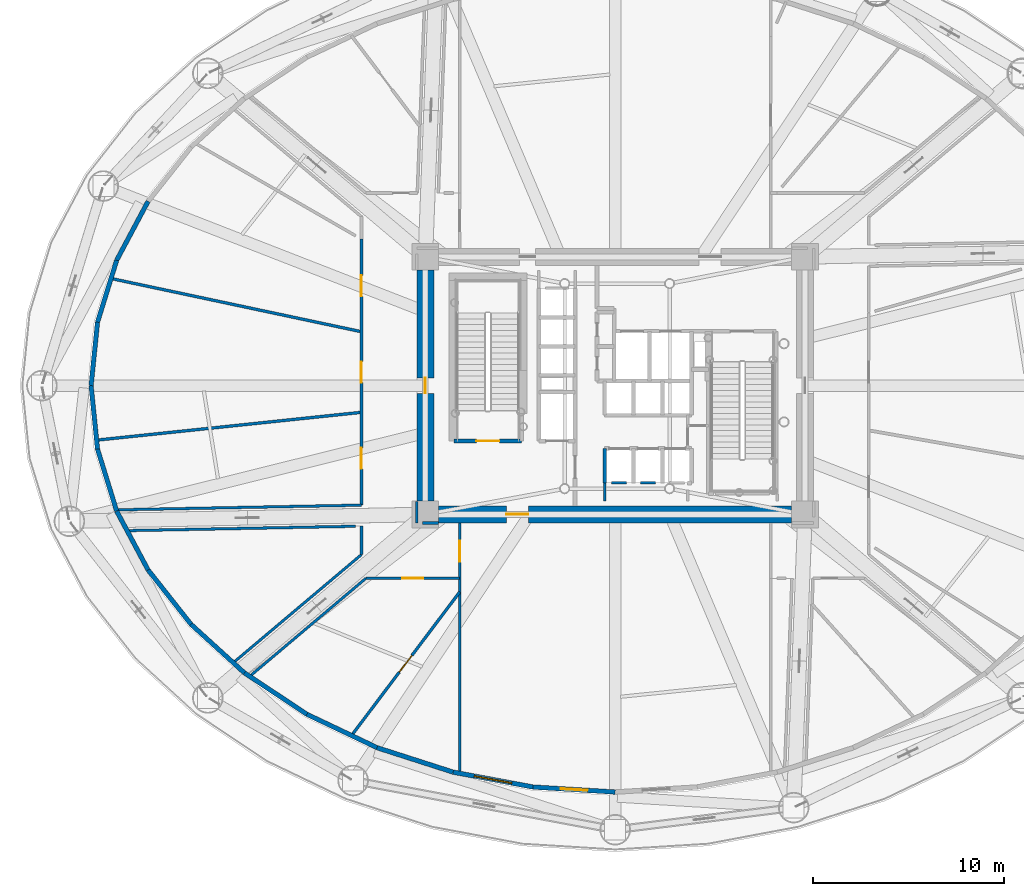
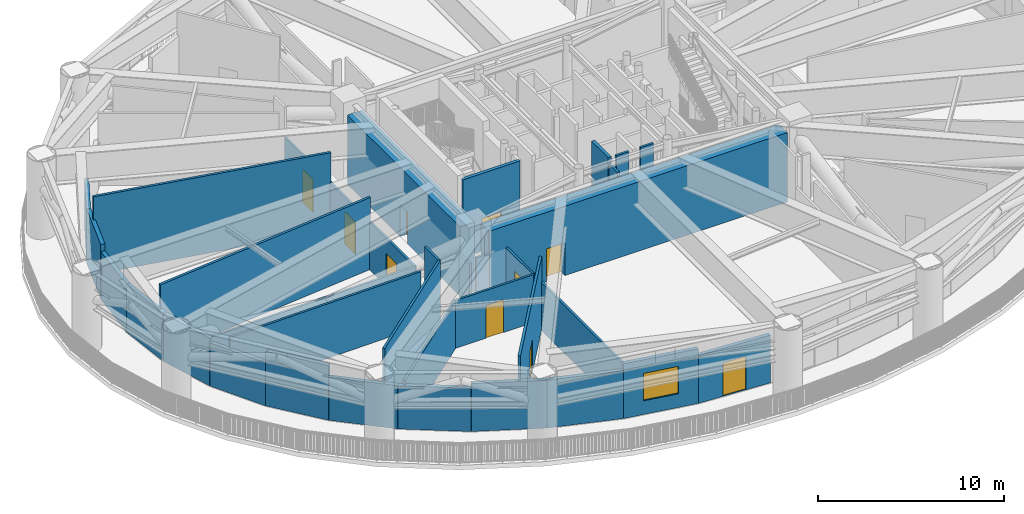
# One storey, part 11 of 22: 33 walls, 10 doors, 1 window, 11 openings.
"""IFC4 building model written with IfcOpenShell, lengths in metres."""

from ifc_helpers import new_model, si_unit, direction, frame, frame_2d, origin, origin_2d, place, context, subcontext, project, spatial, rectangle, extrude, source, transform, mapped, material, layer, layer_set, type_object, element, fill, save


model = new_model("IFC4")

# Units and contexts
model_context = context("Model", 3, precision=1e-05, world=origin(), true_north=direction((0.0, 1.0)))
body_context = subcontext(model_context, "Body", "Model", "MODEL_VIEW")
ifc_project = project(units=[si_unit("LENGTHUNIT", "METRE"), si_unit("AREAUNIT", "SQUARE_METRE"), si_unit("VOLUMEUNIT", "CUBIC_METRE"), si_unit("PLANEANGLEUNIT", "RADIAN"), si_unit("MASSUNIT", "GRAM", prefix="KILO")], contexts=[model_context])

# Site, building, storey
site_placement = place(None, origin())
site = spatial("IfcSite", under=ifc_project, at=site_placement, CompositionType="ELEMENT")
building_placement = place(site_placement, origin())
building = spatial("IfcBuilding", under=site, at=building_placement, Name="Linh Dai School and Residence Tower", CompositionType="ELEMENT")
storey_placement = place(building_placement, frame((0.0, 0.0, 87.0)))
storey = spatial("IfcBuildingStorey", under=building, at=storey_placement, Name="L20", CompositionType="ELEMENT", Elevation=87.0)

# Walls
ifc_material_1 = material(Name="Precast Concrete B45 (C35/45)", Category="concrete")
ifc_layer_1 = layer(ifc_material_1, 0.239990234375)
ifc_layer_set_1 = layer_set([ifc_layer_1], Name="Precast Concrete B45 (C35/45)")
wall_type_1 = type_object("IfcWallType", Name="EW-TC-240", PredefinedType="SOLIDWALL", material=ifc_layer_set_1)
wall_1_placement = place(storey_placement, frame((9.8662109375, 33.573974609375, 0.0), z_axis=(0.0, 0.0, 1.0), x_axis=(0.470675170758, 0.882306570095, 0.0)))
element("IfcWall", 1, at=wall_1_placement, inside=storey, type_object=wall_type_1, Name="L20 Terracotta Exterior Wall 18", PredefinedType="SOLIDWALL", context=body_context, shape_type="SweptSolid", body=[
    extrude(rectangle(XDim=3.498046875, YDim=0.239990234375, at=frame_2d((1.7490234375, 0.0))), origin(), (0.0, 0.0, 1.0), 3.135009765625),
])
wall_2_placement = place(storey_placement, frame((8.8623046875, 30.327392578125, 0.0), z_axis=(0.0, 0.0, 1.0), x_axis=(0.29541834734, 0.955367991957, 0.0)))
element("IfcWall", 2, at=wall_2_placement, inside=storey, type_object=wall_type_1, Name="L20 Terracotta Exterior Wall 19", PredefinedType="SOLIDWALL", context=body_context, shape_type="SweptSolid", body=[
    extrude(rectangle(XDim=3.398193359375, YDim=0.239990234375, at=frame_2d((1.69921875, 0.0))), origin(), (0.0, 0.0, 1.0), 3.5849609375),
])
for number, where, z_axis, x_axis, name in (
    (3, (8.52490234375, 27.0, 0.0), (0.0, 0.0, 1.0), (0.100884092205, 0.994898185716, 0.0), "L20 Terracotta Exterior Wall 20"),
    (4, (8.8623046875, 23.672607421875, 0.0), (0.0, 0.0, 1.0), (-0.100884092205, 0.994898185716, 0.0), "L20 Terracotta Exterior Wall 21"),
):
    element("IfcWall", number, at=place(storey_placement, frame(where, z_axis=z_axis, x_axis=x_axis)), inside=storey, type_object=wall_type_1, Name=name, PredefinedType="SOLIDWALL", context=body_context, shape_type="SweptSolid", body=[
        extrude(rectangle(XDim=3.344482421875, YDim=0.239990234375, at=frame_2d((1.67236328125, 0.0))), origin(), (0.0, 0.0, 1.0), 3.135009765625),
    ])
wall_3_placement = place(storey_placement, frame((9.8662109375, 20.426025390625, 0.0), z_axis=(0.0, 0.0, 1.0), x_axis=(-0.29541834734, 0.955367991957, 0.0)))
element("IfcWall", 5, at=wall_3_placement, inside=storey, type_object=wall_type_1, Name="L20 Terracotta Exterior Wall 22", PredefinedType="SOLIDWALL", context=body_context, shape_type="SweptSolid", body=[
    extrude(rectangle(XDim=3.398193359375, YDim=0.239990234375, at=frame_2d((1.69921875, 0.0))), origin(), (0.0, 0.0, 1.0), 3.135009765625),
])
wall_4_placement = place(storey_placement, frame((11.5126953125, 17.339599609375, 0.0), z_axis=(0.0, 0.0, 1.0), x_axis=(-0.470675170758, 0.882306570095, 0.0)))
element("IfcWall", 6, at=wall_4_placement, inside=storey, type_object=wall_type_1, Name="L20 Terracotta Exterior Wall 23", PredefinedType="SOLIDWALL", context=body_context, shape_type="SweptSolid", body=[
    extrude(rectangle(XDim=3.498046875, YDim=0.239990234375, at=frame_2d((1.7490234375, 0.0))), origin(), (0.0, 0.0, 1.0), 2.83203125),
])
wall_5_placement = place(storey_placement, frame((13.762451171875, 14.4892578125, 0.0), z_axis=(0.0, 0.0, 1.0), x_axis=(-0.61955708767, 0.784951600494, 0.0)))
element("IfcWall", 7, at=wall_5_placement, inside=storey, type_object=wall_type_1, Name="L20 Terracotta Exterior Wall 24", PredefinedType="SOLIDWALL", context=body_context, shape_type="SweptSolid", body=[
    extrude(rectangle(XDim=3.63134765625, YDim=0.239990234375, at=frame_2d((1.815673828125, 0.0))), origin(), (0.0, 0.0, 1.0), 3.5849609375),
])
wall_6_placement = place(storey_placement, frame((16.560546875, 11.9453125, 0.0), z_axis=(0.0, 0.0, 1.0), x_axis=(-0.739910860475, 0.672704926808, 0.0)))
element("IfcWall", 8, at=wall_6_placement, inside=storey, type_object=wall_type_1, Name="L20 Terracotta Exterior Wall 25", PredefinedType="SOLIDWALL", context=body_context, shape_type="SweptSolid", body=[
    extrude(rectangle(XDim=3.78173828125, YDim=0.239990234375, at=frame_2d((1.890869140625, 0.0))), origin(), (0.0, 0.0, 1.0), 2.83203125),
])
wall_7_placement = place(storey_placement, frame((19.838623046875, 9.771728515625, 0.0), z_axis=(0.0, 0.0, 1.0), x_axis=(-0.833432371142, 0.552621464235, 0.0)))
element("IfcWall", 9, at=wall_7_placement, inside=storey, type_object=wall_type_1, Name="L20 Terracotta Exterior Wall 26", PredefinedType="SOLIDWALL", context=body_context, shape_type="SweptSolid", body=[
    extrude(rectangle(XDim=3.93310546875, YDim=0.239990234375, at=frame_2d((1.966552734375, 0.0))), origin(), (0.0, 0.0, 1.0), 2.83203125),
])
wall_8_placement = place(storey_placement, frame((23.515869140625, 8.02197265625, 0.0), z_axis=(0.0, 0.0, 1.0), x_axis=(-0.902985702175, 0.429670596699, 0.0)))
element("IfcWall", 10, at=wall_8_placement, inside=storey, type_object=wall_type_1, Name="L20 Terracotta Exterior Wall 27", PredefinedType="SOLIDWALL", context=body_context, shape_type="SweptSolid", body=[
    extrude(rectangle(XDim=4.072265625, YDim=0.239990234375, at=frame_2d((2.0361328125, 0.0))), origin(), (0.0, 0.0, 1.0), 3.135009765625),
])
wall_9_placement = place(storey_placement, frame((27.501708984375, 6.739990234375, 0.0), z_axis=(0.0, 0.0, 1.0), x_axis=(-0.951971515403, 0.306186599742, 0.0)))
element("IfcWall", 11, at=wall_9_placement, inside=storey, type_object=wall_type_1, Name="L20 Terracotta Exterior Wall 28", PredefinedType="SOLIDWALL", context=body_context, shape_type="SweptSolid", body=[
    extrude(rectangle(XDim=4.18701171875, YDim=0.239990234375, at=frame_2d((2.093505859375, 0.0))), origin(), (0.0, 0.0, 1.0), 3.135009765625),
])

# Wall, opening, window
wall_10_placement = place(storey_placement, frame((31.69775390625, 5.9580078125, 0.0), z_axis=(0.0, 0.0, 1.0), x_axis=(-0.983074270231, 0.183207475857, 0.0)))
wall_10 = element("IfcWall", 12, at=wall_10_placement, inside=storey, type_object=wall_type_1, Name="L20 Terracotta Exterior Wall 29", PredefinedType="SOLIDWALL", context=body_context, shape_type="SweptSolid", body=[
    extrude(rectangle(XDim=4.268310546875, YDim=0.239990234375, at=frame_2d((2.13427734375, 0.0))), origin(), (0.0, 0.0, 1.0), 3.5849609375),
])
opening_1_placement = place(wall_10_placement, frame((1.134033203125, 0.0, 0.89990234375)))
opening_1 = element("IfcOpeningElement", 13, at=opening_1_placement, cuts=wall_10, Name="Opening W5", PredefinedType="OPENING", context=body_context, shape_type="SweptSolid", body=[
    extrude(rectangle(XDim=2.0, YDim=1.800048828125, at=origin_2d()), frame((1.0, 0.1298828125, 0.89990234375), z_axis=(0.0, -1.0, 0.0), x_axis=(1.0, 0.0, 0.0)), (0.0, 0.0, 1.0), 0.260009765625),
])
ifc_material_2 = material(Name="Anodised Aluminium Weather Louvre", Category="aluminium")
window_type = type_object("IfcWindowType", Name="WN-LV-2000x1800", PartitioningType="SINGLE_PANEL", PredefinedType="USERDEFINED", material=ifc_material_2)
shared_shape_1 = source(origin(), body_context, "Body", "SweptSolid", [
    extrude(rectangle(XDim=2.0, YDim=1.800048828125, at=origin_2d()), frame((1.0, 0.030029296875, 0.89990234375), z_axis=(0.0, -1.0, 0.0), x_axis=(1.0, 0.0, 0.0)), (0.0, 0.0, 1.0), 0.06005859375),
])
window_placement = place(opening_1_placement, origin())
window = element("IfcWindow", 14, at=window_placement, inside=storey, type_object=window_type, Name="L20 Plant Weather Louvre 29", ObjectType="LOUVRE VENT", OverallHeight=1.800048828125, OverallWidth=2.0, PartitioningType="SINGLE_PANEL", PredefinedType="USERDEFINED", context=body_context, shape_type="MappedRepresentation", body=[
    mapped(shared_shape_1, transform((0.0, 0.0, 0.0), x_axis=(1.0, 0.0, 0.0), y_axis=(0.0, 1.0, 0.0), z_axis=(0.0, 0.0, 1.0), scale=1.0)),
])
fill(opening_1, window)

# Wall, opening, door
wall_11_placement = place(storey_placement, frame((36.0, 5.695068359375, 0.0), z_axis=(0.0, 0.0, 1.0), x_axis=(-0.998137585079, 0.061002961022, 0.0)))
wall_11 = element("IfcWall", 15, at=wall_11_placement, inside=storey, type_object=wall_type_1, Name="L20 Terracotta Exterior Wall 30", PredefinedType="SOLIDWALL", context=body_context, shape_type="SweptSolid", body=[
    extrude(rectangle(XDim=4.310302734375, YDim=0.239990234375, at=frame_2d((2.1552734375, 0.0))), origin(), (0.0, 0.0, 1.0), 3.135009765625),
])
opening_2_placement = place(wall_11_placement, frame((1.455078125, 0.0, 0.0)))
opening_2 = element("IfcOpeningElement", 16, at=opening_2_placement, cuts=wall_11, Name="Opening DD1", PredefinedType="OPENING", context=body_context, shape_type="SweptSolid", body=[
    extrude(rectangle(XDim=1.39990234375, YDim=2.199951171875, at=origin_2d()), frame((0.699951171875, 0.1298828125, 1.10009765625), z_axis=(0.0, -1.0, 0.0), x_axis=(1.0, 0.0, 0.0)), (0.0, 0.0, 1.0), 0.260009765625),
])
ifc_material_3 = material(Name="Glazed Aluminium Terrace Door", Category="aluminium")
door_type_1 = type_object("IfcDoorType", Name="DR-DECK-1400x2200", OperationType="NOTDEFINED", PredefinedType="DOOR", material=ifc_material_3)
shared_shape_2 = source(origin(), body_context, "Body", "SweptSolid", [
    extrude(rectangle(XDim=1.39990234375, YDim=2.199951171875, at=origin_2d()), frame((0.699951171875, 0.02490234375, 1.10009765625), z_axis=(0.0, -1.0, 0.0), x_axis=(1.0, 0.0, 0.0)), (0.0, 0.0, 1.0), 0.050048828125),
])
door_1_placement = place(opening_2_placement, origin())
door_1 = element("IfcDoor", 17, at=door_1_placement, inside=storey, type_object=door_type_1, Name="L20 Outdoor Terrace Access Door 30", OperationType="SINGLE_SWING_RIGHT", OverallHeight=2.199951171875, OverallWidth=1.39990234375, PredefinedType="DOOR", context=body_context, shape_type="MappedRepresentation", body=[
    mapped(shared_shape_2, transform((0.0, 0.0, 0.0), x_axis=(1.0, 0.0, 0.0), y_axis=(0.0, 1.0, 0.0), z_axis=(0.0, 0.0, 1.0), scale=1.0)),
])
fill(opening_2, door_1)

# Walls
ifc_material_4 = material(Name="Autoclaved Aerated Concrete Blockwork", Category="masonry")
ifc_layer_2 = layer(ifc_material_4, 0.135009765625)
ifc_layer_set_2 = layer_set([ifc_layer_2], Name="Autoclaved Aerated Concrete Blockwork")
wall_type_2 = type_object("IfcWallType", Name="IW-CORR-135-EI90", PredefinedType="PARTITIONING", material=ifc_layer_set_2)
wall_12_placement = place(storey_placement, frame((9.841552734375, 20.48876953125, 0.0), z_axis=(0.0, 0.0, 1.0), x_axis=(0.999815448687, 0.019211157326, 0.0)))
element("IfcWall", 18, at=wall_12_placement, inside=storey, type_object=wall_type_2, Name="L20 Interior Partition Wall 003", PredefinedType="PARTITIONING", context=body_context, shape_type="SweptSolid", body=[
    extrude(rectangle(XDim=12.86083984375, YDim=0.135009765625, at=frame_2d((6.430419921875, 0.0))), origin(), (0.0, 0.0, 1.0), 3.135009765625),
])
wall_13_placement = place(storey_placement, frame((16.83544921875, 11.757080078125, 0.0), z_axis=(0.0, 0.0, 1.0), x_axis=(0.764356069215, 0.644794385408, 0.0)))
element("IfcWall", 19, at=wall_13_placement, inside=storey, type_object=wall_type_2, Name="L20 Interior Partition Wall 004", PredefinedType="PARTITIONING", context=body_context, shape_type="SweptSolid", body=[
    extrude(rectangle(XDim=7.975830078125, YDim=0.135009765625, at=frame_2d((3.98779296875, 0.0))), origin(), (0.0, 0.0, 1.0), 3.135009765625),
])

# Wall, openings, doors
wall_14_placement = place(storey_placement, frame((22.699951171875, 20.73583984375, 0.0), z_axis=(0.0, 0.0, 1.0), x_axis=(0.0, 1.0, 0.0)))
wall_14 = element("IfcWall", 20, at=wall_14_placement, inside=storey, type_object=wall_type_2, Name="L20 Interior Partition Wall 008", PredefinedType="PARTITIONING", context=body_context, shape_type="SweptSolid", body=[
    extrude(rectangle(XDim=13.94287109375, YDim=0.135009765625, at=frame_2d((6.971435546875, 0.0))), origin(), (0.0, 0.0, 1.0), 3.135009765625),
])
opening_3_placement = place(wall_14_placement, frame((10.947021484375, 0.0, 0.0)))
opening_3 = element("IfcOpeningElement", 21, at=opening_3_placement, cuts=wall_14, Name="Opening D07", PredefinedType="OPENING", context=body_context, shape_type="SweptSolid", body=[
    extrude(rectangle(XDim=1.10009765625, YDim=2.14990234375, at=origin_2d()), frame((0.550048828125, 0.07763671875, 1.074951171875), z_axis=(0.0, -1.0, 0.0), x_axis=(1.0, 0.0, 0.0)), (0.0, 0.0, 1.0), 0.155029296875),
])
opening_4_placement = place(wall_14_placement, frame((6.4287109375, 0.0, 0.0)))
opening_4 = element("IfcOpeningElement", 22, at=opening_4_placement, cuts=wall_14, Name="Opening D07", PredefinedType="OPENING", context=body_context, shape_type="SweptSolid", body=[
    extrude(rectangle(XDim=1.10009765625, YDim=2.14990234375, at=origin_2d()), frame((0.550048828125, 0.07763671875, 1.074951171875), z_axis=(0.0, -1.0, 0.0), x_axis=(1.0, 0.0, 0.0)), (0.0, 0.0, 1.0), 0.155029296875),
])
opening_5_placement = place(wall_14_placement, frame((1.9033203125, 0.0, 0.0)))
opening_5 = element("IfcOpeningElement", 23, at=opening_5_placement, cuts=wall_14, Name="Opening D07", PredefinedType="OPENING", context=body_context, shape_type="SweptSolid", body=[
    extrude(rectangle(XDim=1.10009765625, YDim=2.14990234375, at=origin_2d()), frame((0.550048828125, 0.07763671875, 1.074951171875), z_axis=(0.0, -1.0, 0.0), x_axis=(1.0, 0.0, 0.0)), (0.0, 0.0, 1.0), 0.155029296875),
])
ifc_material_5 = material(Name="Fire-Rated Louvred Steel Plant Door", Category="steel")
door_type_2 = type_object("IfcDoorType", Name="DR-PLT-1100x2150-FD60S", OperationType="NOTDEFINED", PredefinedType="DOOR", material=ifc_material_5)
shared_shape_3 = source(origin(), body_context, "Body", "SweptSolid", [
    extrude(rectangle(XDim=1.10009765625, YDim=2.14990234375, at=origin_2d()), frame((0.550048828125, 0.02490234375, 1.074951171875), z_axis=(0.0, -1.0, 0.0), x_axis=(1.0, 0.0, 0.0)), (0.0, 0.0, 1.0), 0.050048828125),
])
door_2_placement = place(opening_3_placement, origin())
door_2 = element("IfcDoor", 24, at=door_2_placement, inside=storey, type_object=door_type_2, Name="L20 Heat-Recovery Ventilation Plant Room West 1 Door", OperationType="SINGLE_SWING_LEFT", OverallHeight=2.14990234375, OverallWidth=1.10009765625, PredefinedType="DOOR", context=body_context, shape_type="MappedRepresentation", body=[
    mapped(shared_shape_3, transform((0.0, 0.0, 0.0), x_axis=(1.0, 0.0, 0.0), y_axis=(0.0, 1.0, 0.0), z_axis=(0.0, 0.0, 1.0), scale=1.0)),
])
fill(opening_3, door_2)
door_3_placement = place(opening_4_placement, origin())
door_3 = element("IfcDoor", 25, at=door_3_placement, inside=storey, type_object=door_type_2, Name="L20 Chilled-Water Heat-Exchanger Plant Room West Door", OperationType="SINGLE_SWING_RIGHT", OverallHeight=2.14990234375, OverallWidth=1.10009765625, PredefinedType="DOOR", context=body_context, shape_type="MappedRepresentation", body=[
    mapped(shared_shape_3, transform((0.0, 0.0, 0.0), x_axis=(1.0, 0.0, 0.0), y_axis=(0.0, 1.0, 0.0), z_axis=(0.0, 0.0, 1.0), scale=1.0)),
])
fill(opening_4, door_3)
door_4_placement = place(opening_5_placement, origin())
door_4 = element("IfcDoor", 26, at=door_4_placement, inside=storey, type_object=door_type_2, Name="L20 Heat-Recovery Ventilation Plant Room West 2 Door", OperationType="SINGLE_SWING_LEFT", OverallHeight=2.14990234375, OverallWidth=1.10009765625, PredefinedType="DOOR", context=body_context, shape_type="MappedRepresentation", body=[
    mapped(shared_shape_3, transform((0.0, 0.0, 0.0), x_axis=(1.0, 0.0, 0.0), y_axis=(0.0, 1.0, 0.0), z_axis=(0.0, 0.0, 1.0), scale=1.0)),
])
fill(opening_5, door_4)

# Wall, opening, door
wall_15_placement = place(storey_placement, frame((22.931884765625, 16.89990234375, 0.0), z_axis=(0.0, 0.0, 1.0), x_axis=(1.0, 0.0, 0.0)))
wall_15 = element("IfcWall", 27, at=wall_15_placement, inside=storey, type_object=wall_type_2, Name="L20 Interior Partition Wall 009", PredefinedType="PARTITIONING", context=body_context, shape_type="SweptSolid", body=[
    extrude(rectangle(XDim=4.918212890625, YDim=0.135009765625, at=frame_2d((2.458984375, 0.0))), origin(), (0.0, 0.0, 1.0), 3.135009765625),
])
opening_6_placement = place(wall_15_placement, frame((1.9091796875, 0.0, 0.0)))
opening_6 = element("IfcOpeningElement", 28, at=opening_6_placement, cuts=wall_15, Name="Opening D07", PredefinedType="OPENING", context=body_context, shape_type="SweptSolid", body=[
    extrude(rectangle(XDim=1.10009765625, YDim=2.14990234375, at=origin_2d()), frame((0.550048828125, 0.07763671875, 1.074951171875), z_axis=(0.0, -1.0, 0.0), x_axis=(1.0, 0.0, 0.0)), (0.0, 0.0, 1.0), 0.155029296875),
])
door_5_placement = place(opening_6_placement, origin())
door_5 = element("IfcDoor", 29, at=door_5_placement, inside=storey, type_object=door_type_2, Name="L20 Stair Pressurisation Fan Plant Room Door", OperationType="SINGLE_SWING_RIGHT", OverallHeight=2.14990234375, OverallWidth=1.10009765625, PredefinedType="DOOR", context=body_context, shape_type="MappedRepresentation", body=[
    mapped(shared_shape_3, transform((0.0, 0.0, 0.0), x_axis=(1.0, 0.0, 0.0), y_axis=(0.0, 1.0, 0.0), z_axis=(0.0, 0.0, 1.0), scale=1.0)),
])
fill(opening_6, door_5)

wall_16_placement = place(storey_placement, frame((27.85009765625, 6.670166015625, 0.0), z_axis=(0.0, 0.0, 1.0), x_axis=(0.0, 1.0, 0.0)))
wall_16 = element("IfcWall", 30, at=wall_16_placement, inside=storey, type_object=wall_type_2, Name="L20 Interior Partition Wall 013", PredefinedType="PARTITIONING", context=body_context, shape_type="SweptSolid", body=[
    extrude(rectangle(XDim=13.1298828125, YDim=0.135009765625, at=frame_2d((6.56494140625, 0.0))), origin(), (0.0, 0.0, 1.0), 3.135009765625),
])
opening_7_placement = place(wall_16_placement, frame((11.10986328125, 0.0, 0.0)))
opening_7 = element("IfcOpeningElement", 31, at=opening_7_placement, cuts=wall_16, Name="Opening D07", PredefinedType="OPENING", context=body_context, shape_type="SweptSolid", body=[
    extrude(rectangle(XDim=1.10009765625, YDim=2.14990234375, at=origin_2d()), frame((0.550048828125, 0.07763671875, 1.074951171875), z_axis=(0.0, -1.0, 0.0), x_axis=(1.0, 0.0, 0.0)), (0.0, 0.0, 1.0), 0.155029296875),
])
door_6_placement = place(opening_7_placement, origin())
door_6 = element("IfcDoor", 32, at=door_6_placement, inside=storey, type_object=door_type_2, Name="L20 Pressurised Fire Refuge Area South Corridor Door", OperationType="SINGLE_SWING_LEFT", OverallHeight=2.14990234375, OverallWidth=1.10009765625, PredefinedType="DOOR", context=body_context, shape_type="MappedRepresentation", body=[
    mapped(shared_shape_3, transform((0.0, 0.0, 0.0), x_axis=(1.0, 0.0, 0.0), y_axis=(0.0, 1.0, 0.0), z_axis=(0.0, 0.0, 1.0), scale=1.0)),
])
fill(opening_7, door_6)

# Walls
wall_17_placement = place(storey_placement, frame((36.60009765625, 21.89990234375, 0.0), z_axis=(0.0, 0.0, 1.0), x_axis=(-1.0, 0.0, 0.0)))
element("IfcWall", 33, at=wall_17_placement, inside=storey, type_object=wall_type_2, Name="L20 Interior Partition Wall 060", PredefinedType="PARTITIONING", context=body_context, shape_type="SweptSolid", body=[
    extrude(rectangle(XDim=0.7900390625, YDim=0.135009765625, at=frame_2d((0.39501953125, 0.0))), origin(), (0.0, 0.0, 1.0), 5.10009765625),
])
wall_18_placement = place(storey_placement, frame((38.1201171875, 21.89990234375, 0.0), z_axis=(0.0, 0.0, 1.0), x_axis=(-1.0, 0.0, 0.0)))
element("IfcWall", 34, at=wall_18_placement, inside=storey, type_object=wall_type_2, Name="L20 Interior Partition Wall 061", PredefinedType="PARTITIONING", context=body_context, shape_type="SweptSolid", body=[
    extrude(rectangle(XDim=0.800048828125, YDim=0.135009765625, at=frame_2d((0.39990234375, 0.0))), origin(), (0.0, 0.0, 1.0), 5.10009765625),
])
wall_19_placement = place(storey_placement, frame((35.449951171875, 21.889892578125, 0.0), z_axis=(0.0, 0.0, 1.0), x_axis=(0.0, -1.0, 0.0)))
element("IfcWall", 35, at=wall_19_placement, inside=storey, type_object=wall_type_2, Name="L20 Interior Partition Wall 067", PredefinedType="PARTITIONING", context=body_context, shape_type="SweptSolid", body=[
    extrude(rectangle(XDim=0.929931640625, YDim=0.135009765625, at=frame_2d((0.46484375, 0.0))), origin(), (0.0, 0.0, 1.0), 4.68505859375),
])
wall_20_placement = place(storey_placement, frame((25.60009765625, 20.93994140625, 0.0), z_axis=(0.0, 0.0, 1.0), x_axis=(0.0, -1.0, 0.0)))
element("IfcWall", 36, at=wall_20_placement, inside=storey, type_object=wall_type_2, Name="L20 Interior Partition Wall 078", PredefinedType="PARTITIONING", context=body_context, shape_type="SweptSolid", body=[
    extrude(rectangle(XDim=1.139892578125, YDim=0.135009765625, at=frame_2d((0.56982421875, 0.0))), origin(), (0.0, 0.0, 1.0), 2.83203125),
])
wall_21_placement = place(storey_placement, frame((25.907470703125, 19.800048828125, 0.0), z_axis=(0.0, 0.0, 1.0), x_axis=(1.0, 0.0, 0.0)))
element("IfcWall", 37, at=wall_21_placement, inside=storey, type_object=wall_type_2, Name="L20 Interior Partition Wall 079", PredefinedType="PARTITIONING", context=body_context, shape_type="SweptSolid", body=[
    extrude(rectangle(XDim=0.83251953125, YDim=0.135009765625, at=frame_2d((0.416259765625, 0.0))), origin(), (0.0, 0.0, 1.0), 3.135009765625),
])
wall_22_placement = place(storey_placement, frame((15.975341796875, 12.470703125, 0.0), z_axis=(0.0, 0.0, 1.0), x_axis=(0.764349608458, 0.64480204408, 0.0)))
element("IfcWall", 38, at=wall_22_placement, inside=storey, type_object=wall_type_2, Name="L20 Interior Partition Wall 080", PredefinedType="PARTITIONING", context=body_context, shape_type="SweptSolid", body=[
    extrude(rectangle(XDim=8.7978515625, YDim=0.135009765625, at=frame_2d((4.39892578125, 0.0))), origin(), (0.0, 0.0, 1.0), 5.10009765625),
])
wall_23_placement = place(storey_placement, frame((22.699951171875, 18.1435546875, 0.0), z_axis=(0.0, 0.0, 1.0), x_axis=(0.0, 1.0, 0.0)))
element("IfcWall", 39, at=wall_23_placement, inside=storey, type_object=wall_type_2, Name="L20 Interior Partition Wall 081", PredefinedType="PARTITIONING", context=body_context, shape_type="SweptSolid", body=[
    extrude(rectangle(XDim=1.491943359375, YDim=0.135009765625, at=frame_2d((0.74609375, 0.0))), origin(), (0.0, 0.0, 1.0), 5.10009765625),
])
wall_24_placement = place(storey_placement, frame((22.392578125, 19.629638671875, 0.0), z_axis=(0.0, 0.0, 1.0), x_axis=(-0.999815531367, -0.019206853937, 0.0)))
element("IfcWall", 40, at=wall_24_placement, inside=storey, type_object=wall_type_2, Name="L20 Interior Partition Wall 082", PredefinedType="PARTITIONING", context=body_context, shape_type="SweptSolid", body=[
    extrude(rectangle(XDim=11.986572265625, YDim=0.135009765625, at=frame_2d((5.9931640625, 0.0))), origin(), (0.0, 0.0, 1.0), 3.5849609375),
])
ifc_layer_3 = layer(ifc_material_4, 0.14990234375)
ifc_layer_set_3 = layer_set([ifc_layer_3], Name="Autoclaved Aerated Concrete Blockwork")
wall_type_3 = type_object("IfcWallType", Name="IW-SCH-150-EI60", PredefinedType="PARTITIONING", material=ifc_layer_set_3)
wall_25_placement = place(storey_placement, frame((8.8095703125, 24.14208984375, 0.0), z_axis=(0.0, 0.0, 1.0), x_axis=(0.994521723584, 0.104530097672, 0.0)))
element("IfcWall", 41, at=wall_25_placement, inside=storey, type_object=wall_type_3, Name="L20 Interior Partition Wall 001", PredefinedType="PARTITIONING", context=body_context, shape_type="SweptSolid", body=[
    extrude(rectangle(XDim=13.966796875, YDim=0.14990234375, at=frame_2d((6.9833984375, 0.0))), origin(), (0.0, 0.0, 1.0), 4.72509765625),
])
wall_26_placement = place(storey_placement, frame((9.565673828125, 32.618896484375, 0.0), z_axis=(0.0, 0.0, 1.0), x_axis=(0.978144338977, -0.207927035587, 0.0)))
element("IfcWall", 42, at=wall_26_placement, inside=storey, type_object=wall_type_3, Name="L20 Interior Partition Wall 002", PredefinedType="PARTITIONING", context=body_context, shape_type="SweptSolid", body=[
    extrude(rectangle(XDim=13.427734375, YDim=0.14990234375, at=frame_2d((6.7138671875, 0.0))), origin(), (0.0, 0.0, 1.0), 5.10009765625),
])

# Wall, opening, door
wall_27_placement = place(storey_placement, frame((22.175537109375, 8.654296875, 0.0), z_axis=(0.0, 0.0, 1.0), x_axis=(0.601821280228, 0.798630794964, 0.0)))
wall_27 = element("IfcWall", 43, at=wall_27_placement, inside=storey, type_object=wall_type_3, Name="L20 Interior Partition Wall 006", PredefinedType="PARTITIONING", context=body_context, shape_type="SweptSolid", body=[
    extrude(rectangle(XDim=9.428955078125, YDim=0.14990234375, at=frame_2d((4.71435546875, 0.0))), origin(), (0.0, 0.0, 1.0), 4.72509765625),
])
opening_8_placement = place(wall_27_placement, frame((4.16455078125, 0.0, 0.0)))
opening_8 = element("IfcOpeningElement", 44, at=opening_8_placement, cuts=wall_27, Name="Opening D07", PredefinedType="OPENING", context=body_context, shape_type="SweptSolid", body=[
    extrude(rectangle(XDim=1.10009765625, YDim=2.14990234375, at=origin_2d()), frame((0.550048828125, 0.0849609375, 1.074951171875), z_axis=(0.0, -1.0, 0.0), x_axis=(1.0, 0.0, 0.0)), (0.0, 0.0, 1.0), 0.169921875),
])
door_7_placement = place(opening_8_placement, origin())
door_7 = element("IfcDoor", 45, at=door_7_placement, inside=storey, type_object=door_type_2, Name="L20 Smoke Extract Fan Plant Room Door", OperationType="SINGLE_SWING_LEFT", OverallHeight=2.14990234375, OverallWidth=1.10009765625, PredefinedType="DOOR", context=body_context, shape_type="MappedRepresentation", body=[
    mapped(shared_shape_3, transform((0.0, 0.0, 0.0), x_axis=(1.0, 0.0, 0.0), y_axis=(0.0, 1.0, 0.0), z_axis=(0.0, 0.0, 1.0), scale=1.0)),
])
fill(opening_8, door_7)

ifc_material_6 = material(Name="Concrete B45 (C35/45)", Category="concrete")
ifc_layer_4 = layer(ifc_material_6, 0.199951171875)
ifc_layer_set_4 = layer_set([ifc_layer_4], Name="Concrete B45 (C35/45)")
wall_type_4 = type_object("IfcWallType", Name="IW-SHAFT-200-EI120", PredefinedType="PARTITIONING", material=ifc_layer_set_4)
wall_28_placement = place(storey_placement, frame((27.56005859375, 24.10009765625, 0.0), z_axis=(0.0, 0.0, 1.0), x_axis=(1.0, 0.0, 0.0)))
wall_28 = element("IfcWall", 46, at=wall_28_placement, inside=storey, type_object=wall_type_4, Name="L20 Interior Partition Wall 012", PredefinedType="PARTITIONING", context=body_context, shape_type="SweptSolid", body=[
    extrude(rectangle(XDim=3.5400390625, YDim=0.199951171875, at=frame_2d((1.77001953125, 0.0))), origin(), (0.0, 0.0, 1.0), 5.10009765625),
])
opening_9_placement = place(wall_28_placement, frame((1.169921875, 0.0, 0.0)))
opening_9 = element("IfcOpeningElement", 47, at=opening_9_placement, cuts=wall_28, Name="Opening D01", PredefinedType="OPENING", context=body_context, shape_type="SweptSolid", body=[
    extrude(rectangle(XDim=1.199951171875, YDim=2.14990234375, at=origin_2d()), frame((0.60009765625, 0.10986328125, 1.074951171875), z_axis=(0.0, -1.0, 0.0), x_axis=(1.0, 0.0, 0.0)), (0.0, 0.0, 1.0), 0.219970703125),
])
ifc_material_7 = material(Name="Fire-Rated Steel Door Leaf", Category="steel")
door_type_3 = type_object("IfcDoorType", Name="DR-STAIR-1200x2150-FD90S", OperationType="NOTDEFINED", PredefinedType="DOOR", material=ifc_material_7)
shared_shape_4 = source(origin(), body_context, "Body", "SweptSolid", [
    extrude(rectangle(XDim=1.199951171875, YDim=2.14990234375, at=origin_2d()), frame((0.60009765625, 0.02490234375, 1.074951171875), z_axis=(0.0, -1.0, 0.0), x_axis=(1.0, 0.0, 0.0)), (0.0, 0.0, 1.0), 0.050048828125),
])
door_8_placement = place(opening_9_placement, origin())
door_8 = element("IfcDoor", 48, at=door_8_placement, inside=storey, type_object=door_type_3, Name="L20 Core Smokeproof Exit Stair ST1 Door", OperationType="SINGLE_SWING_LEFT", OverallHeight=2.14990234375, OverallWidth=1.199951171875, PredefinedType="DOOR", context=body_context, shape_type="MappedRepresentation", body=[
    mapped(shared_shape_4, transform((0.0, 0.0, 0.0), x_axis=(1.0, 0.0, 0.0), y_axis=(0.0, 1.0, 0.0), z_axis=(0.0, 0.0, 1.0), scale=1.0)),
])
fill(opening_9, door_8)

# Wall
wall_29_placement = place(storey_placement, frame((35.449951171875, 21.89990234375, 0.0), z_axis=(0.0, 0.0, 1.0), x_axis=(0.0, 1.0, 0.0)))
element("IfcWall", 49, at=wall_29_placement, inside=storey, type_object=wall_type_4, Name="L20 Interior Partition Wall 029", PredefinedType="PARTITIONING", context=body_context, shape_type="SweptSolid", body=[
    extrude(rectangle(XDim=1.800048828125, YDim=0.199951171875, at=frame_2d((0.89990234375, 0.0))), origin(), (0.0, 0.0, 1.0), 5.10009765625),
])

# Wall, opening, door
ifc_material_8 = material(Name="Concrete B60 (C50/60)", Category="concrete")
ifc_layer_5 = layer(ifc_material_8, 0.89990234375)
ifc_layer_set_5 = layer_set([ifc_layer_5], Name="Concrete B60 (C50/60)")
wall_type_5 = type_object("IfcWallType", Name="WL-CORE900", PredefinedType="SHEAR", material=ifc_layer_set_5)
wall_30_placement = place(storey_placement, frame((45.25, 20.25, 0.0), z_axis=(0.0, 0.0, 1.0), x_axis=(-1.0, 0.0, 0.0)))
wall_30 = element("IfcWall", 50, at=wall_30_placement, inside=storey, type_object=wall_type_5, Name="L20 Central Core Shear Wall S", PredefinedType="SHEAR", context=body_context, shape_type="SweptSolid", body=[
    extrude(rectangle(XDim=18.5, YDim=0.89990234375, at=frame_2d((9.25, 0.0))), origin(), (0.0, 0.0, 1.0), 4.550048828125),
])
opening_10_placement = place(wall_30_placement, frame((13.800048828125, 0.0, 0.0)))
opening_10 = element("IfcOpeningElement", 51, at=opening_10_placement, cuts=wall_30, Name="Opening D02", PredefinedType="OPENING", context=body_context, shape_type="SweptSolid", body=[
    extrude(rectangle(XDim=1.14990234375, YDim=2.14990234375, at=origin_2d()), frame((0.574951171875, 0.4599609375, 1.074951171875), z_axis=(0.0, -1.0, 0.0), x_axis=(1.0, 0.0, 0.0)), (0.0, 0.0, 1.0), 0.919921875),
])
ifc_material_9 = material(Name="Fire-Rated Glazed Steel Lobby Door", Category="steel")
door_type_4 = type_object("IfcDoorType", Name="DR-LOBBY-1150x2150-FD90S", OperationType="NOTDEFINED", PredefinedType="DOOR", material=ifc_material_9)
shared_shape_5 = source(origin(), body_context, "Body", "SweptSolid", [
    extrude(rectangle(XDim=1.14990234375, YDim=2.14990234375, at=origin_2d()), frame((0.574951171875, 0.02490234375, 1.074951171875), z_axis=(0.0, -1.0, 0.0), x_axis=(1.0, 0.0, 0.0)), (0.0, 0.0, 1.0), 0.050048828125),
])
door_9_placement = place(opening_10_placement, origin())
door_9 = element("IfcDoor", 52, at=door_9_placement, inside=storey, type_object=door_type_4, Name="L20 Refuge Lobby Access Door", OperationType="SINGLE_SWING_RIGHT", OverallHeight=2.14990234375, OverallWidth=1.14990234375, PredefinedType="DOOR", context=body_context, shape_type="MappedRepresentation", body=[
    mapped(shared_shape_5, transform((0.0, 0.0, 0.0), x_axis=(1.0, 0.0, 0.0), y_axis=(0.0, 1.0, 0.0), z_axis=(0.0, 0.0, 1.0), scale=1.0)),
])
fill(opening_10, door_9)

wall_31_placement = place(storey_placement, frame((26.050048828125, 20.949951171875, 0.0), z_axis=(0.0, 0.0, 1.0), x_axis=(0.0, 1.0, 0.0)))
wall_31 = element("IfcWall", 53, at=wall_31_placement, inside=storey, type_object=wall_type_5, Name="L20 Central Core Shear Wall W", PredefinedType="SHEAR", context=body_context, shape_type="SweptSolid", body=[
    extrude(rectangle(XDim=12.10009765625, YDim=0.89990234375, at=frame_2d((6.050048828125, 0.0))), origin(), (0.0, 0.0, 1.0), 4.550048828125),
])
opening_11_placement = place(wall_31_placement, frame((5.639892578125, 0.0, 0.0)))
opening_11 = element("IfcOpeningElement", 54, at=opening_11_placement, cuts=wall_31, Name="Opening D06", PredefinedType="OPENING", context=body_context, shape_type="SweptSolid", body=[
    extrude(rectangle(XDim=0.820068359375, YDim=2.10009765625, at=origin_2d()), frame((0.41015625, 0.4599609375, 1.050048828125), z_axis=(0.0, -1.0, 0.0), x_axis=(1.0, 0.0, 0.0)), (0.0, 0.0, 1.0), 0.919921875),
])
ifc_material_10 = material(Name="Moisture-Resistant Timber Bathroom Door", Category="wood")
door_type_5 = type_object("IfcDoorType", Name="DR-WET-820x2100", OperationType="NOTDEFINED", PredefinedType="DOOR", material=ifc_material_10)
shared_shape_6 = source(origin(), body_context, "Body", "SweptSolid", [
    extrude(rectangle(XDim=0.820068359375, YDim=2.10009765625, at=origin_2d()), frame((0.41015625, 0.02490234375, 1.050048828125), z_axis=(0.0, -1.0, 0.0), x_axis=(1.0, 0.0, 0.0)), (0.0, 0.0, 1.0), 0.050048828125),
])
door_10_placement = place(opening_11_placement, origin())
door_10 = element("IfcDoor", 55, at=door_10_placement, inside=storey, type_object=door_type_5, Name="L20 Firefighting Lobby Door", OperationType="SINGLE_SWING_LEFT", OverallHeight=2.10009765625, OverallWidth=0.820068359375, PredefinedType="DOOR", context=body_context, shape_type="MappedRepresentation", body=[
    mapped(shared_shape_6, transform((0.0, 0.0, 0.0), x_axis=(1.0, 0.0, 0.0), y_axis=(0.0, 1.0, 0.0), z_axis=(0.0, 0.0, 1.0), scale=1.0)),
])
fill(opening_11, door_10)

save(model, "model.ifc")
